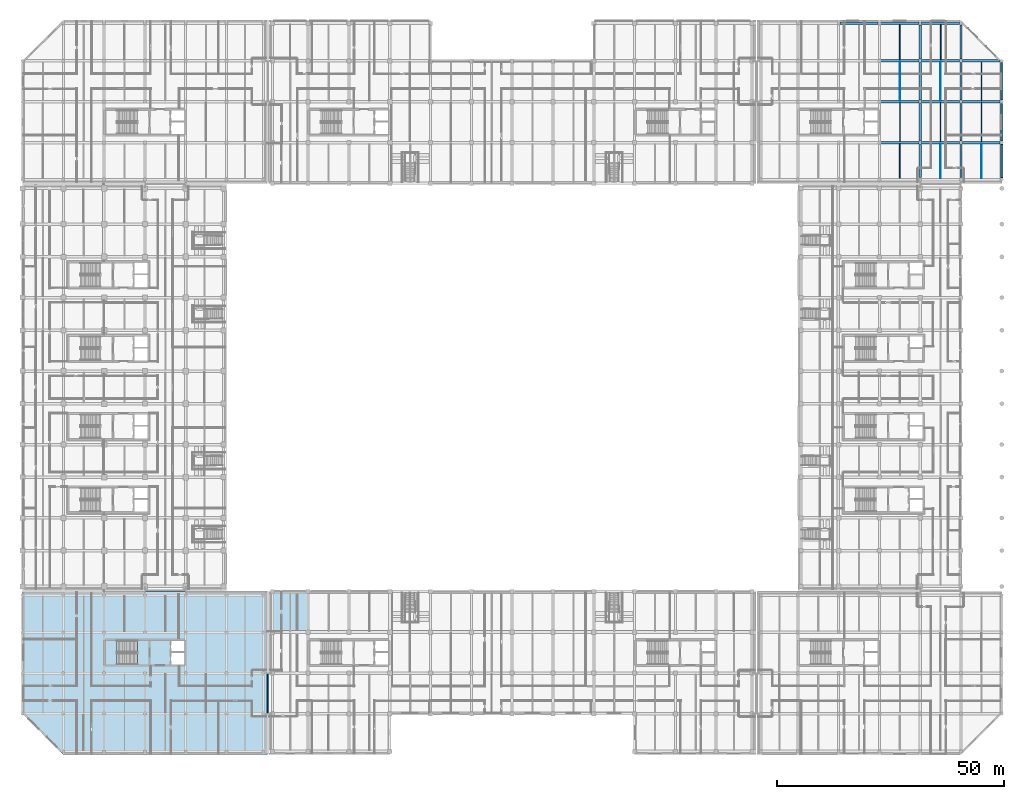
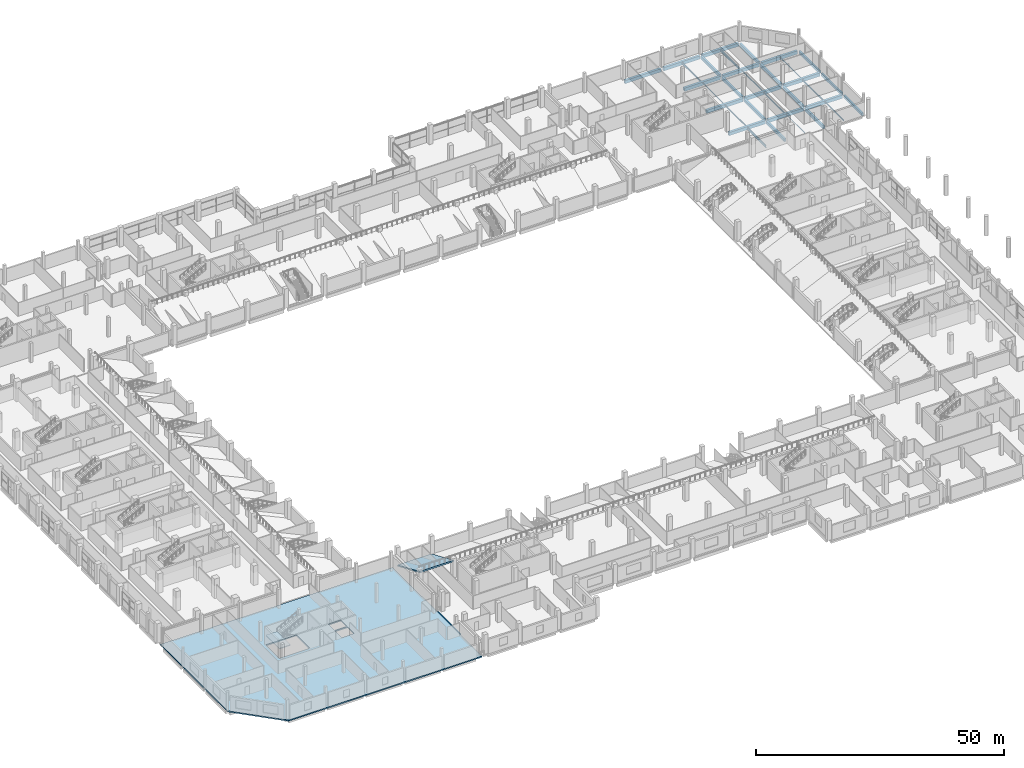
# One storey, part 42 of 100: 34 beams, 4 slabs, 1 element without a shape of its own.
"""IFC4 building model written with IfcOpenShell, lengths in metres."""

from ifc_helpers import new_model, si_unit, direction, frame, origin, origin_2d, place, context, subcontext, project, spatial, polyline, rectangle, hollow_rectangle, i_section, outline, extrude, material, layer, layer_set, material_profile, profile_set, type_object, element, aggregate, save


model = new_model("IFC4")

# Units and contexts
model_context = context("Model", 3, precision=1e-05, world=origin(), true_north=direction((0.0, 1.0)))
body_context = subcontext(model_context, "Body", "Model", "MODEL_VIEW")
ifc_project = project(units=[si_unit("LENGTHUNIT", "METRE"), si_unit("AREAUNIT", "SQUARE_METRE"), si_unit("VOLUMEUNIT", "CUBIC_METRE"), si_unit("PLANEANGLEUNIT", "RADIAN"), si_unit("MASSUNIT", "GRAM", prefix="KILO"), si_unit("THERMODYNAMICTEMPERATUREUNIT", "KELVIN"), si_unit("POWERUNIT", "WATT")], contexts=[model_context])

# Site, building, storey
site_placement = place(None, origin())
site = spatial("IfcSite", under=ifc_project, at=site_placement, CompositionType="ELEMENT")
building_placement = place(site_placement, origin())
building = spatial("IfcBuilding", under=site, at=building_placement, Name="Sindhuravela Promenade Stadium", CompositionType="ELEMENT")
storey_placement = place(building_placement, frame((0.0, 0.0, 4.800048828125)))
storey = spatial("IfcBuildingStorey", under=building, at=storey_placement, Name="L01", CompositionType="ELEMENT", Elevation=4.800048828125)

# Beams
ifc_material_1 = material(Name="Concrete M40", Category="concrete")
ifc_material_profile_1 = material_profile(ifc_material_1, rectangle(XDim=0.39990234375, YDim=0.64990234375, at=origin_2d()), Name="RC 400x650")
ifc_profile_set_1 = profile_set([ifc_material_profile_1], Name="Concrete M40")
beam_type_1 = type_object("IfcBeamType", Name="RC-BM-400x650", PredefinedType="SPANDREL", material=ifc_profile_set_1)
beam_1_placement = place(storey_placement, frame((216.0, 127.239990234375, -0.625), z_axis=(0.0, 1.0, 0.0), x_axis=(-1.0, 0.0, 0.0)))
element("IfcBeam", 1, at=beam_1_placement, inside=storey, type_object=beam_type_1, Name="Primary beam SP01 Pavilion NE L01", PredefinedType="SPANDREL", context=body_context, shape_type="SweptSolid", body=[
    extrude(rectangle(XDim=0.39990234375, YDim=0.64990234375, at=origin_2d()), origin(), (0.0, 0.0, 1.0), 7.3701171875),
])
for number, where, z_axis, x_axis, name in (
    (2, (216.0, 135.389892578125, -0.625), (0.0, 1.0, 0.0), (-1.0, 0.0, 0.0), "Primary beam SP01 Pavilion NE L01"),
    (3, (216.0, 144.389892578125, -0.625), (0.0, 1.0, 0.0), (-1.0, 0.0, 0.0), "Primary beam SP01 Pavilion NE L01"),
):
    element("IfcBeam", number, at=place(storey_placement, frame(where, z_axis=z_axis, x_axis=x_axis)), inside=storey, type_object=beam_type_1, Name=name, PredefinedType="SPANDREL", context=body_context, shape_type="SweptSolid", body=[
        extrude(rectangle(XDim=0.39990234375, YDim=0.64990234375, at=origin_2d()), origin(), (0.0, 0.0, 1.0), 8.22021484375),
    ])
ifc_material_profile_2 = material_profile(ifc_material_1, rectangle(XDim=0.449951171875, YDim=0.699951171875, at=origin_2d()), Name="RC 450x700")
ifc_profile_set_2 = profile_set([ifc_material_profile_2], Name="Concrete M40")
beam_type_2 = type_object("IfcBeamType", Name="RC-BM-450x700", PredefinedType="BEAM", material=ifc_profile_set_2)
beam_2_placement = place(storey_placement, frame((198.0, 127.239990234375, -0.650146484375), z_axis=(0.0, 1.0, 0.0), x_axis=(-1.0, 0.0, 0.0)))
element("IfcBeam", 4, at=beam_2_placement, inside=storey, type_object=beam_type_2, Name="Primary beam GB07 Pavilion NE L01", PredefinedType="BEAM", context=body_context, shape_type="SweptSolid", body=[
    extrude(rectangle(XDim=0.449951171875, YDim=0.699951171875, at=origin_2d()), origin(), (0.0, 0.0, 1.0), 7.3701171875),
])
for number, where, z_axis, x_axis, name in (
    (5, (198.0, 135.389892578125, -0.650146484375), (0.0, 1.0, 0.0), (-1.0, 0.0, 0.0), "Primary beam GB07 Pavilion NE L01"),
    (6, (198.0, 144.389892578125, -0.650146484375), (0.0, 1.0, 0.0), (-1.0, 0.0, 0.0), "Primary beam GB07 Pavilion NE L01"),
):
    element("IfcBeam", number, at=place(storey_placement, frame(where, z_axis=z_axis, x_axis=x_axis)), inside=storey, type_object=beam_type_2, Name=name, PredefinedType="BEAM", context=body_context, shape_type="SweptSolid", body=[
        extrude(rectangle(XDim=0.449951171875, YDim=0.699951171875, at=origin_2d()), origin(), (0.0, 0.0, 1.0), 8.22021484375),
    ])
beam_3_placement = place(storey_placement, frame((198.0, 153.389892578125, -0.650146484375), z_axis=(0.0, 1.0, 0.0), x_axis=(-1.0, 0.0, 0.0)))
element("IfcBeam", 7, at=beam_3_placement, inside=storey, type_object=beam_type_2, Name="Primary beam GB07 Pavilion NE L01", PredefinedType="BEAM", context=body_context, shape_type="SweptSolid", body=[
    extrude(rectangle(XDim=0.449951171875, YDim=0.699951171875, at=origin_2d()), origin(), (0.0, 0.0, 1.0), 7.52001953125),
])
beam_4_placement = place(storey_placement, frame((207.0, 127.239990234375, -0.650146484375), z_axis=(0.0, 1.0, 0.0), x_axis=(-1.0, 0.0, 0.0)))
element("IfcBeam", 8, at=beam_4_placement, inside=storey, type_object=beam_type_2, Name="Primary beam GB07 Pavilion NE L01", PredefinedType="BEAM", context=body_context, shape_type="SweptSolid", body=[
    extrude(rectangle(XDim=0.449951171875, YDim=0.699951171875, at=origin_2d()), origin(), (0.0, 0.0, 1.0), 7.3701171875),
])
for number, where, z_axis, x_axis, name in (
    (9, (207.0, 135.389892578125, -0.650146484375), (0.0, 1.0, 0.0), (-1.0, 0.0, 0.0), "Primary beam GB07 Pavilion NE L01"),
    (10, (207.0, 144.389892578125, -0.650146484375), (0.0, 1.0, 0.0), (-1.0, 0.0, 0.0), "Primary beam GB07 Pavilion NE L01"),
):
    element("IfcBeam", number, at=place(storey_placement, frame(where, z_axis=z_axis, x_axis=x_axis)), inside=storey, type_object=beam_type_2, Name=name, PredefinedType="BEAM", context=body_context, shape_type="SweptSolid", body=[
        extrude(rectangle(XDim=0.449951171875, YDim=0.699951171875, at=origin_2d()), origin(), (0.0, 0.0, 1.0), 8.22021484375),
    ])
beam_5_placement = place(storey_placement, frame((207.0, 153.389892578125, -0.650146484375), z_axis=(0.0, 1.0, 0.0), x_axis=(-1.0, 0.0, 0.0)))
element("IfcBeam", 11, at=beam_5_placement, inside=storey, type_object=beam_type_2, Name="Primary beam GB07 Pavilion NE L01", PredefinedType="BEAM", context=body_context, shape_type="SweptSolid", body=[
    extrude(rectangle(XDim=0.449951171875, YDim=0.699951171875, at=origin_2d()), origin(), (0.0, 0.0, 1.0), 7.52001953125),
])
ifc_material_profile_3 = material_profile(ifc_material_1, rectangle(XDim=0.550048828125, YDim=0.800048828125, at=origin_2d()), Name="RC 550x800")
ifc_profile_set_3 = profile_set([ifc_material_profile_3], Name="Concrete M40")
beam_type_3 = type_object("IfcBeamType", Name="RC-BM-550x800", PredefinedType="BEAM", material=ifc_profile_set_3)
for number, where, z_axis, x_axis, name in (
    (12, (189.2900390625, 135.0, -0.699951171875), (1.0, 0.0, 0.0), (0.0, 1.0, 0.0), "Primary girder GB05 Pavilion NE L01"),
    (13, (198.2900390625, 135.0, -0.699951171875), (1.0, 0.0, 0.0), (0.0, 1.0, 0.0), "Primary girder GB05 Pavilion NE L01"),
):
    element("IfcBeam", number, at=place(storey_placement, frame(where, z_axis=z_axis, x_axis=x_axis)), inside=storey, type_object=beam_type_3, Name=name, PredefinedType="BEAM", context=body_context, shape_type="SweptSolid", body=[
        extrude(rectangle(XDim=0.550048828125, YDim=0.800048828125, at=origin_2d()), origin(), (0.0, 0.0, 1.0), 8.419921875),
    ])
beam_6_placement = place(storey_placement, frame((207.2900390625, 135.0, -0.699951171875), z_axis=(1.0, 0.0, 0.0), x_axis=(0.0, 1.0, 0.0)))
element("IfcBeam", 14, at=beam_6_placement, inside=storey, type_object=beam_type_3, Name="Primary girder GB05 Pavilion NE L01", PredefinedType="BEAM", context=body_context, shape_type="SweptSolid", body=[
    extrude(rectangle(XDim=0.550048828125, YDim=0.800048828125, at=origin_2d()), origin(), (0.0, 0.0, 1.0), 8.320068359375),
])
for number, where, z_axis, x_axis, name in (
    (15, (189.2900390625, 144.0, -0.699951171875), (1.0, 0.0, 0.0), (0.0, 1.0, 0.0), "Primary girder GB05 Pavilion NE L01"),
    (16, (198.2900390625, 144.0, -0.699951171875), (1.0, 0.0, 0.0), (0.0, 1.0, 0.0), "Primary girder GB05 Pavilion NE L01"),
):
    element("IfcBeam", number, at=place(storey_placement, frame(where, z_axis=z_axis, x_axis=x_axis)), inside=storey, type_object=beam_type_3, Name=name, PredefinedType="BEAM", context=body_context, shape_type="SweptSolid", body=[
        extrude(rectangle(XDim=0.550048828125, YDim=0.800048828125, at=origin_2d()), origin(), (0.0, 0.0, 1.0), 8.419921875),
    ])
beam_7_placement = place(storey_placement, frame((207.2900390625, 144.0, -0.699951171875), z_axis=(1.0, 0.0, 0.0), x_axis=(0.0, 1.0, 0.0)))
element("IfcBeam", 17, at=beam_7_placement, inside=storey, type_object=beam_type_3, Name="Primary girder GB05 Pavilion NE L01", PredefinedType="BEAM", context=body_context, shape_type="SweptSolid", body=[
    extrude(rectangle(XDim=0.550048828125, YDim=0.800048828125, at=origin_2d()), origin(), (0.0, 0.0, 1.0), 8.320068359375),
])
for number, where, z_axis, x_axis, name in (
    (18, (189.2900390625, 153.0, -0.699951171875), (1.0, 0.0, 0.0), (0.0, 1.0, 0.0), "Primary girder GB05 Pavilion NE L01"),
    (19, (198.2900390625, 153.0, -0.699951171875), (1.0, 0.0, 0.0), (0.0, 1.0, 0.0), "Primary girder GB05 Pavilion NE L01"),
):
    element("IfcBeam", number, at=place(storey_placement, frame(where, z_axis=z_axis, x_axis=x_axis)), inside=storey, type_object=beam_type_3, Name=name, PredefinedType="BEAM", context=body_context, shape_type="SweptSolid", body=[
        extrude(rectangle(XDim=0.550048828125, YDim=0.800048828125, at=origin_2d()), origin(), (0.0, 0.0, 1.0), 8.419921875),
    ])
beam_8_placement = place(storey_placement, frame((207.2900390625, 153.0, -0.699951171875), z_axis=(1.0, 0.0, 0.0), x_axis=(0.0, 1.0, 0.0)))
element("IfcBeam", 20, at=beam_8_placement, inside=storey, type_object=beam_type_3, Name="Primary girder GB05 Pavilion NE L01", PredefinedType="BEAM", context=body_context, shape_type="SweptSolid", body=[
    extrude(rectangle(XDim=0.550048828125, YDim=0.800048828125, at=origin_2d()), origin(), (0.0, 0.0, 1.0), 8.320068359375),
])
for number, where, z_axis, x_axis, name in (
    (21, (180.2900390625, 161.300048828125, -0.699951171875), (1.0, 0.0, 0.0), (0.0, 1.0, 0.0), "Primary girder GB05 Pavilion NE L01"),
    (22, (189.2900390625, 161.300048828125, -0.699951171875), (1.0, 0.0, 0.0), (0.0, 1.0, 0.0), "Primary girder GB05 Pavilion NE L01"),
    (23, (198.2900390625, 161.300048828125, -0.699951171875), (1.0, 0.0, 0.0), (0.0, 1.0, 0.0), "Primary girder GB05 Pavilion NE L01"),
):
    element("IfcBeam", number, at=place(storey_placement, frame(where, z_axis=z_axis, x_axis=x_axis)), inside=storey, type_object=beam_type_3, Name=name, PredefinedType="BEAM", context=body_context, shape_type="SweptSolid", body=[
        extrude(rectangle(XDim=0.550048828125, YDim=0.800048828125, at=origin_2d()), origin(), (0.0, 0.0, 1.0), 8.419921875),
    ])
ifc_material_2 = material(Name="Steel E350 (IS 2062 E350BR)", Category="steel")
ifc_material_profile_4 = material_profile(ifc_material_2, hollow_rectangle(XDim=0.10009765625, YDim=0.199951171875, WallThickness=0.008056640625, at=origin_2d()), Name="RHS 200x100x8")
ifc_profile_set_4 = profile_set([ifc_material_profile_4], Name="Steel E350 (IS 2062 E350BR)")
beam_type_4 = type_object("IfcBeamType", Name="ST-BM-LNT200", PredefinedType="LINTEL", material=ifc_profile_set_4)
beam_9_placement = place(storey_placement, frame((202.5, 127.114990234375, -0.400146484375), z_axis=(0.0, 1.0, 0.0), x_axis=(-1.0, 0.0, 0.0)))
element("IfcBeam", 24, at=beam_9_placement, inside=storey, type_object=beam_type_4, Name="Secondary floor joist LN01 Pavilion NE L01", PredefinedType="LINTEL", context=body_context, shape_type="SweptSolid", body=[
    extrude(hollow_rectangle(XDim=0.10009765625, YDim=0.199951171875, WallThickness=0.008056640625, at=origin_2d()), origin(), (0.0, 0.0, 1.0), 7.6201171875),
])
beam_10_placement = place(storey_placement, frame((193.5, 144.264892578125, -0.400146484375), z_axis=(0.0, 1.0, 0.0), x_axis=(-1.0, 0.0, 0.0)))
element("IfcBeam", 25, at=beam_10_placement, inside=storey, type_object=beam_type_4, Name="Secondary floor joist LN01 Pavilion NE L01", PredefinedType="LINTEL", context=body_context, shape_type="SweptSolid", body=[
    extrude(hollow_rectangle(XDim=0.10009765625, YDim=0.199951171875, WallThickness=0.008056640625, at=origin_2d()), origin(), (0.0, 0.0, 1.0), 8.47021484375),
])
ifc_material_profile_5 = material_profile(ifc_material_2, i_section(OverallWidth=0.10009765625, OverallDepth=0.199951171875, WebThickness=0.005615234375, FlangeThickness=0.0107421875, FilletRadius=0.010986328125, at=origin_2d()), Name="ISMB 200")
ifc_profile_set_5 = profile_set([ifc_material_profile_5], Name="Steel E350 (IS 2062 E350BR)")
beam_type_5 = type_object("IfcBeamType", Name="ST-BM-MB200", PredefinedType="JOIST", material=ifc_profile_set_5)
beam_11_placement = place(storey_placement, frame((211.5, 127.114990234375, -0.400146484375), z_axis=(0.0, 1.0, 0.0), x_axis=(-1.0, 0.0, 0.0)))
element("IfcBeam", 26, at=beam_11_placement, inside=storey, type_object=beam_type_5, Name="Secondary floor joist SB01 Pavilion NE L01", PredefinedType="JOIST", context=body_context, shape_type="SweptSolid", body=[
    extrude(i_section(OverallWidth=0.10009765625, OverallDepth=0.199951171875, WebThickness=0.005615234375, FlangeThickness=0.0107421875, FilletRadius=0.010986328125, at=origin_2d()), origin(), (0.0, 0.0, 1.0), 7.6201171875),
])
beam_12_placement = place(storey_placement, frame((202.5, 144.264892578125, -0.400146484375), z_axis=(0.0, 1.0, 0.0), x_axis=(-1.0, 0.0, 0.0)))
element("IfcBeam", 27, at=beam_12_placement, inside=storey, type_object=beam_type_5, Name="Secondary floor joist SB01 Pavilion NE L01", PredefinedType="JOIST", context=body_context, shape_type="SweptSolid", body=[
    extrude(i_section(OverallWidth=0.10009765625, OverallDepth=0.199951171875, WebThickness=0.005615234375, FlangeThickness=0.0107421875, FilletRadius=0.010986328125, at=origin_2d()), origin(), (0.0, 0.0, 1.0), 8.47021484375),
])
ifc_material_profile_6 = material_profile(ifc_material_2, i_section(OverallWidth=0.125, OverallDepth=0.25, WebThickness=0.0068359375, FlangeThickness=0.012451171875, FilletRadius=0.012939453125, at=origin_2d()), Name="ISMB 250")
ifc_profile_set_6 = profile_set([ifc_material_profile_6], Name="Steel E350 (IS 2062 E350BR)")
beam_type_6 = type_object("IfcBeamType", Name="ST-BM-MB250", PredefinedType="JOIST", material=ifc_profile_set_6)
beam_13_placement = place(storey_placement, frame((211.5, 144.264892578125, -0.425048828125), z_axis=(0.0, 1.0, 0.0), x_axis=(-1.0, 0.0, 0.0)))
element("IfcBeam", 28, at=beam_13_placement, inside=storey, type_object=beam_type_6, Name="Secondary floor joist SB02 Pavilion NE L01", PredefinedType="JOIST", context=body_context, shape_type="SweptSolid", body=[
    extrude(i_section(OverallWidth=0.125, OverallDepth=0.25, WebThickness=0.0068359375, FlangeThickness=0.012451171875, FilletRadius=0.012939453125, at=origin_2d()), origin(), (0.0, 0.0, 1.0), 8.47021484375),
])
ifc_material_profile_7 = material_profile(ifc_material_2, i_section(OverallWidth=0.139892578125, OverallDepth=0.300048828125, WebThickness=0.0078125, FlangeThickness=0.01318359375, FilletRadius=0.013916015625, at=origin_2d()), Name="ISMB 300")
ifc_profile_set_7 = profile_set([ifc_material_profile_7], Name="Steel E350 (IS 2062 E350BR)")
beam_type_7 = type_object("IfcBeamType", Name="ST-BM-MB300", PredefinedType="JOIST", material=ifc_profile_set_7)
beam_14_placement = place(storey_placement, frame((193.5, 135.264892578125, -0.449951171875), z_axis=(0.0, 1.0, 0.0), x_axis=(-1.0, 0.0, 0.0)))
element("IfcBeam", 29, at=beam_14_placement, inside=storey, type_object=beam_type_7, Name="Secondary floor joist SB03 Pavilion NE L01", PredefinedType="JOIST", context=body_context, shape_type="SweptSolid", body=[
    extrude(i_section(OverallWidth=0.139892578125, OverallDepth=0.300048828125, WebThickness=0.0078125, FlangeThickness=0.01318359375, FilletRadius=0.013916015625, at=origin_2d()), origin(), (0.0, 0.0, 1.0), 8.47021484375),
])
ifc_material_profile_8 = material_profile(ifc_material_2, i_section(OverallWidth=0.139892578125, OverallDepth=0.35009765625, WebThickness=0.008056640625, FlangeThickness=0.01416015625, FilletRadius=0.013916015625, at=origin_2d()), Name="ISMB 350")
ifc_profile_set_8 = profile_set([ifc_material_profile_8], Name="Steel E350 (IS 2062 E350BR)")
beam_type_8 = type_object("IfcBeamType", Name="ST-BM-MB350", PredefinedType="JOIST", material=ifc_profile_set_8)
beam_15_placement = place(storey_placement, frame((202.5, 135.264892578125, -0.47509765625), z_axis=(0.0, 1.0, 0.0), x_axis=(-1.0, 0.0, 0.0)))
element("IfcBeam", 30, at=beam_15_placement, inside=storey, type_object=beam_type_8, Name="Secondary floor joist SB04 Pavilion NE L01", PredefinedType="JOIST", context=body_context, shape_type="SweptSolid", body=[
    extrude(i_section(OverallWidth=0.139892578125, OverallDepth=0.35009765625, WebThickness=0.008056640625, FlangeThickness=0.01416015625, FilletRadius=0.013916015625, at=origin_2d()), origin(), (0.0, 0.0, 1.0), 8.47021484375),
])
ifc_material_profile_9 = material_profile(ifc_material_2, i_section(OverallWidth=0.139892578125, OverallDepth=0.39990234375, WebThickness=0.0087890625, FlangeThickness=0.01611328125, FilletRadius=0.013916015625, at=origin_2d()), Name="ISMB 400")
ifc_profile_set_9 = profile_set([ifc_material_profile_9], Name="Steel E350 (IS 2062 E350BR)")
beam_type_9 = type_object("IfcBeamType", Name="ST-BM-MB400", PredefinedType="BEAM", material=ifc_profile_set_9)
beam_16_placement = place(storey_placement, frame((211.5, 135.264892578125, -0.5), z_axis=(0.0, 1.0, 0.0), x_axis=(-1.0, 0.0, 0.0)))
element("IfcBeam", 31, at=beam_16_placement, inside=storey, type_object=beam_type_9, Name="Secondary floor joist SB05 Pavilion NE L01", PredefinedType="BEAM", context=body_context, shape_type="SweptSolid", body=[
    extrude(i_section(OverallWidth=0.139892578125, OverallDepth=0.39990234375, WebThickness=0.0087890625, FlangeThickness=0.01611328125, FilletRadius=0.013916015625, at=origin_2d()), origin(), (0.0, 0.0, 1.0), 8.47021484375),
])
ifc_material_profile_10 = material_profile(ifc_material_2, i_section(OverallWidth=0.14990234375, OverallDepth=0.449951171875, WebThickness=0.009521484375, FlangeThickness=0.017333984375, FilletRadius=0.014892578125, at=origin_2d()), Name="ISMB 450")
ifc_profile_set_10 = profile_set([ifc_material_profile_10], Name="Steel E350 (IS 2062 E350BR)")
beam_type_10 = type_object("IfcBeamType", Name="ST-BM-MB450", PredefinedType="BEAM", material=ifc_profile_set_10)
beam_17_placement = place(storey_placement, frame((193.5, 153.264892578125, -0.525146484375), z_axis=(0.0, 1.0, 0.0), x_axis=(-1.0, 0.0, 0.0)))
element("IfcBeam", 32, at=beam_17_placement, inside=storey, type_object=beam_type_10, Name="Secondary floor joist SB06 Pavilion NE L01", PredefinedType="BEAM", context=body_context, shape_type="SweptSolid", body=[
    extrude(i_section(OverallWidth=0.14990234375, OverallDepth=0.449951171875, WebThickness=0.009521484375, FlangeThickness=0.017333984375, FilletRadius=0.014892578125, at=origin_2d()), origin(), (0.0, 0.0, 1.0), 7.77001953125),
])
ifc_material_profile_11 = material_profile(ifc_material_2, i_section(OverallWidth=0.18994140625, OverallDepth=0.550048828125, WebThickness=0.01123046875, FlangeThickness=0.019287109375, FilletRadius=0.01806640625, at=origin_2d()), Name="ISMB 550")
ifc_profile_set_11 = profile_set([ifc_material_profile_11], Name="Steel E350 (IS 2062 E350BR)")
beam_type_11 = type_object("IfcBeamType", Name="ST-BM-MB550", PredefinedType="SPANDREL", material=ifc_profile_set_11)
beam_18_placement = place(storey_placement, frame((202.5, 153.264892578125, -0.574951171875), z_axis=(0.0, 1.0, 0.0), x_axis=(-1.0, 0.0, 0.0)))
element("IfcBeam", 33, at=beam_18_placement, inside=storey, type_object=beam_type_11, Name="Secondary floor joist SB08 Pavilion NE L01", PredefinedType="SPANDREL", context=body_context, shape_type="SweptSolid", body=[
    extrude(i_section(OverallWidth=0.18994140625, OverallDepth=0.550048828125, WebThickness=0.01123046875, FlangeThickness=0.019287109375, FilletRadius=0.01806640625, at=origin_2d()), origin(), (0.0, 0.0, 1.0), 7.77001953125),
])
ifc_material_profile_12 = material_profile(ifc_material_2, i_section(OverallWidth=0.2099609375, OverallDepth=0.60009765625, WebThickness=0.011962890625, FlangeThickness=0.020751953125, FilletRadius=0.02001953125, at=origin_2d()), Name="ISMB 600")
ifc_profile_set_12 = profile_set([ifc_material_profile_12], Name="Steel E350 (IS 2062 E350BR)")
beam_type_12 = type_object("IfcBeamType", Name="ST-BM-MB600", PredefinedType="BEAM", material=ifc_profile_set_12)
beam_19_placement = place(storey_placement, frame((193.5, 127.114990234375, -0.60009765625), z_axis=(0.0, 1.0, 0.0), x_axis=(-1.0, 0.0, 0.0)))
element("IfcBeam", 34, at=beam_19_placement, inside=storey, type_object=beam_type_12, Name="Secondary floor joist SB09 Pavilion NE L01", PredefinedType="BEAM", context=body_context, shape_type="SweptSolid", body=[
    extrude(i_section(OverallWidth=0.2099609375, OverallDepth=0.60009765625, WebThickness=0.011962890625, FlangeThickness=0.020751953125, FilletRadius=0.02001953125, at=origin_2d()), origin(), (0.0, 0.0, 1.0), 7.6201171875),
])

# Slabs
ifc_material_3 = material(Name="Concrete M50", Category="concrete")
ifc_layer_1 = layer(ifc_material_3, 0.360107421875)
ifc_layer_set_1 = layer_set([ifc_layer_1], Name="Concrete M50")
slab_type_1 = type_object("IfcSlabType", Name="SL-BRG-360", PredefinedType="FLOOR", material=ifc_layer_set_1)
slab_1_placement = place(storey_placement, frame((0.0, 0.0, -0.360107421875)))
element("IfcSlab", 35, at=slab_1_placement, inside=storey, type_object=slab_type_1, Name="Concourse link bridge L01 South-SW", PredefinedType="FLOOR", context=body_context, shape_type="SweptSolid", body=[
    extrude(outline(polyline([(54.0, 9.0), (54.25, 9.0), (54.25, 18.0), (54.0, 18.0), (54.0, 9.0)])), origin(), (0.0, 0.0, 1.0), 0.360107421875),
])
ifc_layer_2 = layer(ifc_material_1, 0.300048828125)
ifc_layer_set_2 = layer_set([ifc_layer_2], Name="Concrete M40")
slab_type_2 = type_object("IfcSlabType", Name="SL-FLR-300", PredefinedType="FLOOR", material=ifc_layer_set_2)
slab_2_placement = place(storey_placement, frame((0.0, 0.0, -0.300048828125)))
element("IfcSlab", 36, at=slab_2_placement, inside=storey, type_object=slab_type_2, Name="Floor slab Pavilion SW L01", PredefinedType="FLOOR", context=body_context, shape_type="SweptSolid", body=[
    extrude(outline(polyline([(9.0, 0.0), (54.0, 0.0), (54.0, 36.0), (0.0, 36.0), (0.0, 9.0), (9.0, 0.0)]), holes=[polyline([(18.300048828125, 19.800048828125), (25.34912109375, 19.800048828125), (25.34912109375, 25.199951171875), (18.300048828125, 25.199951171875), (18.300048828125, 19.800048828125)]), polyline([(32.800048828125, 22.800048828125), (35.699951171875, 22.800048828125), (35.699951171875, 25.199951171875), (32.800048828125, 25.199951171875), (32.800048828125, 22.800048828125)]), polyline([(32.800048828125, 19.800048828125), (35.699951171875, 19.800048828125), (35.699951171875, 22.5), (32.800048828125, 22.5), (32.800048828125, 19.800048828125)])]), origin(), (0.0, 0.0, 1.0), 0.300048828125),
])

# Stair, slab
stair_type = type_object("IfcStairType", Name="ST-CORE-DOGLEG", PredefinedType="HALF_TURN_STAIR", material=ifc_material_1)
stair_placement = place(storey_placement, origin())
stair = element("IfcStair", 37, at=stair_placement, inside=storey, type_object=stair_type, Name="Protected escape stair GS01 (L01)", PredefinedType="HALF_TURN_STAIR")
ifc_layer_3 = layer(ifc_material_1, 0.219970703125)
ifc_layer_set_3 = layer_set([ifc_layer_3], Name="Concrete M40")
slab_type_3 = type_object("IfcSlabType", Name="SL-LND-220", PredefinedType="LANDING", material=ifc_layer_set_3)
slab_3_placement = place(storey_placement, frame((0.0, 0.0, 2.179931640625)))
slab_3 = element("IfcSlab", 38, at=slab_3_placement, type_object=slab_type_3, Name="Stair GS01 half-landing (L01)", PredefinedType="LANDING", context=body_context, shape_type="SweptSolid", body=[
    extrude(outline(polyline([(18.280029296875, 19.780029296875), (20.85205078125, 19.780029296875), (20.85205078125, 25.219970703125), (18.280029296875, 25.219970703125), (18.280029296875, 19.780029296875)])), origin(), (0.0, 0.0, 1.0), 0.219970703125),
])
aggregate(stair, [slab_3])

# Slab
ifc_material_4 = material(Name="Precast concrete M50", Category="concrete")
ifc_layer_4 = layer(ifc_material_4, 0.2900390625)
ifc_layer_set_4 = layer_set([ifc_layer_4], Name="Precast concrete M50")
slab_type_4 = type_object("IfcSlabType", Name="SL-TR1-290", PredefinedType="USERDEFINED", material=ifc_layer_set_4)
slab_4_placement = place(storey_placement, frame((63.0, 36.0, 0.199951171875), z_axis=(0.0, 0.39331118097782747, 0.9194054137962353), x_axis=(-1.0, 0.0, 0.0)))
element("IfcSlab", 39, at=slab_4_placement, inside=storey, type_object=slab_type_4, Name="Stand lower tier South rear bay 23", ObjectType="SEATING TIER", PredefinedType="USERDEFINED", context=body_context, shape_type="SweptSolid", body=[
    extrude(outline(polyline([(0.0, 0.0), (7.89990234375, 0.0), (7.89990234375, 9.78893518022577), (0.0, 9.78893518022577), (0.0, 0.0)])), origin(), (0.0, 0.0, -1.0), 0.2900390625),
])

save(model, "model.ifc")
